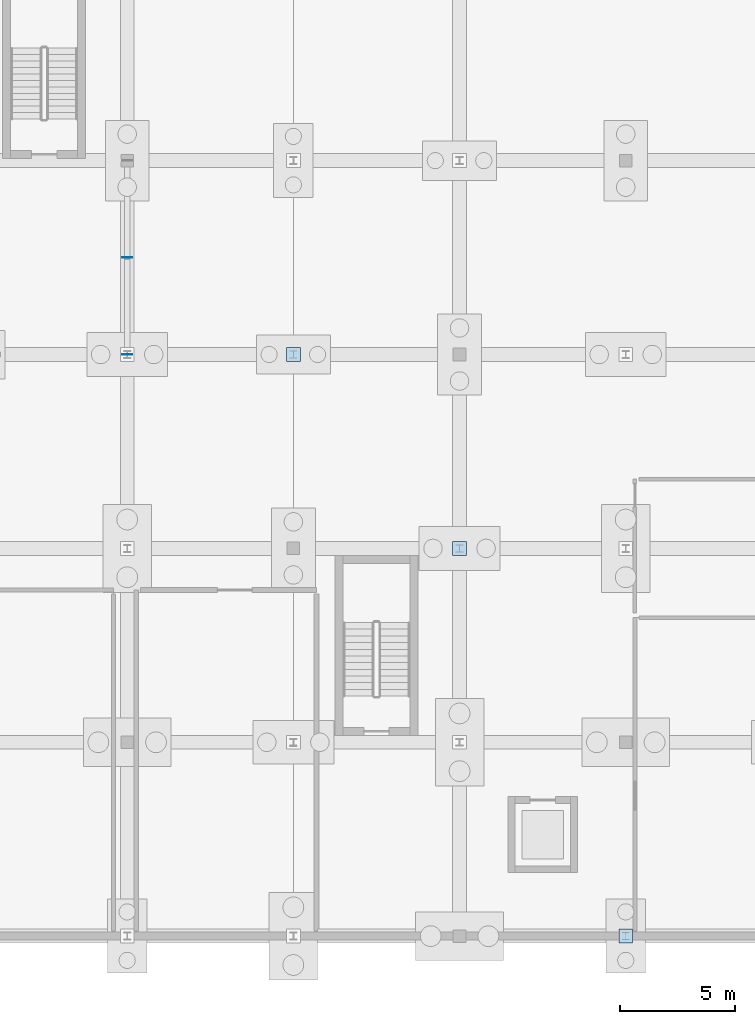
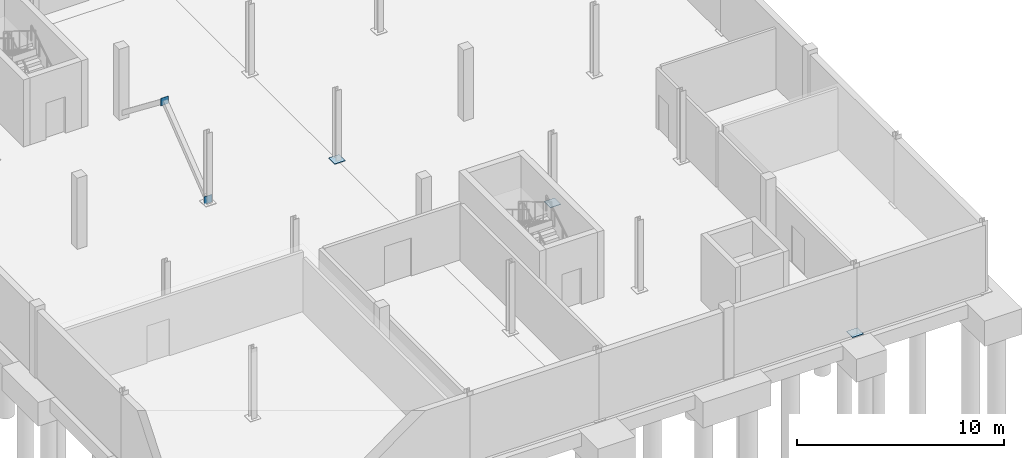
# One storey, part 16 of 32: 5 plates.
"""IFC4 building model written with IfcOpenShell, lengths in metres."""

from ifc_helpers import new_model, si_unit, direction, frame, origin, origin_2d, place, context, subcontext, project, spatial, rectangle, extrude, material, layer, layer_set, type_object, element, save


model = new_model("IFC4")

# Units and contexts
model_context = context("Model", 3, precision=1e-05, world=origin(), true_north=direction((0.0, 1.0)))
body_context = subcontext(model_context, "Body", "Model", "MODEL_VIEW")
ifc_project = project(units=[si_unit("LENGTHUNIT", "METRE"), si_unit("AREAUNIT", "SQUARE_METRE"), si_unit("VOLUMEUNIT", "CUBIC_METRE"), si_unit("PLANEANGLEUNIT", "RADIAN"), si_unit("MASSUNIT", "GRAM", prefix="KILO")], contexts=[model_context])

# Site, building, storey
site_placement = place(None, origin())
site = spatial("IfcSite", under=ifc_project, at=site_placement, CompositionType="ELEMENT")
building_placement = place(site_placement, origin())
building = spatial("IfcBuilding", under=site, at=building_placement, Name="Qelthora Terrace Specialist Clinic", CompositionType="ELEMENT")
storey_placement = place(building_placement, frame((0.0, 0.0, -4.199951171875)))
storey = spatial("IfcBuildingStorey", under=building, at=storey_placement, Name="B1", CompositionType="ELEMENT", Elevation=-4.199951171875)

# Plates
ifc_material = material(Name="Steel S355", Category="steel")
ifc_layer_1 = layer(ifc_material, 0.030029296875)
ifc_layer_set_1 = layer_set([ifc_layer_1], Name="Steel S355")
plate_type_1 = type_object("IfcPlateType", Name="PLT-BASE-600X600X30", PredefinedType="USERDEFINED", material=ifc_layer_set_1)
for number, where, z_axis, x_axis, name in (
    (1, (21.60009765625, 25.199951171875, 0.0), (0.0, 0.0, 1.0), (1.0, 0.0, 0.0), "Steel column base plate BPLT-031"),
    (2, (28.800048828125, 16.800048828125, 0.0), (0.0, 0.0, 1.0), (1.0, 0.0, 0.0), "Steel column base plate BPLT-038"),
    (3, (36.0, 0.0, 0.0), (0.0, 0.0, 1.0), (1.0, 0.0, 0.0), "Steel column base plate BPLT-044"),
):
    element("IfcPlate", number, at=place(storey_placement, frame(where, z_axis=z_axis, x_axis=x_axis)), inside=storey, type_object=plate_type_1, Name=name, ObjectType="GUSSET PLATE", PredefinedType="USERDEFINED", context=body_context, shape_type="SweptSolid", body=[
        extrude(rectangle(XDim=0.60009765625, YDim=0.60009765625, at=origin_2d()), origin(), (0.0, 0.0, 1.0), 0.030029296875),
    ])
ifc_layer_2 = layer(ifc_material, 0.02001953125)
ifc_layer_set_2 = layer_set([ifc_layer_2], Name="Steel S355")
plate_type_2 = type_object("IfcPlateType", Name="PLT-GUS-480X480X20", PredefinedType="USERDEFINED", material=ifc_layer_set_2)
for number, where, z_axis, x_axis, name in (
    (4, (14.39990234375, 25.199951171875, -0.0400390625), (0.0, 0.0, 1.0), (1.0, 0.0, 0.0), "Steel truss node plate GPLT-0218"),
    (5, (14.39990234375, 29.39990234375, 3.22998046875), (0.0, 0.0, 1.0), (1.0, 0.0, 0.0), "Steel truss node plate GPLT-0219"),
):
    element("IfcPlate", number, at=place(storey_placement, frame(where, z_axis=z_axis, x_axis=x_axis)), inside=storey, type_object=plate_type_2, Name=name, ObjectType="GUSSET PLATE", PredefinedType="USERDEFINED", context=body_context, shape_type="SweptSolid", body=[
        extrude(rectangle(XDim=0.43994140625, YDim=0.02001953125, at=origin_2d()), origin(), (0.0, 0.0, 1.0), 0.43994140625),
    ])

save(model, "model.ifc")
